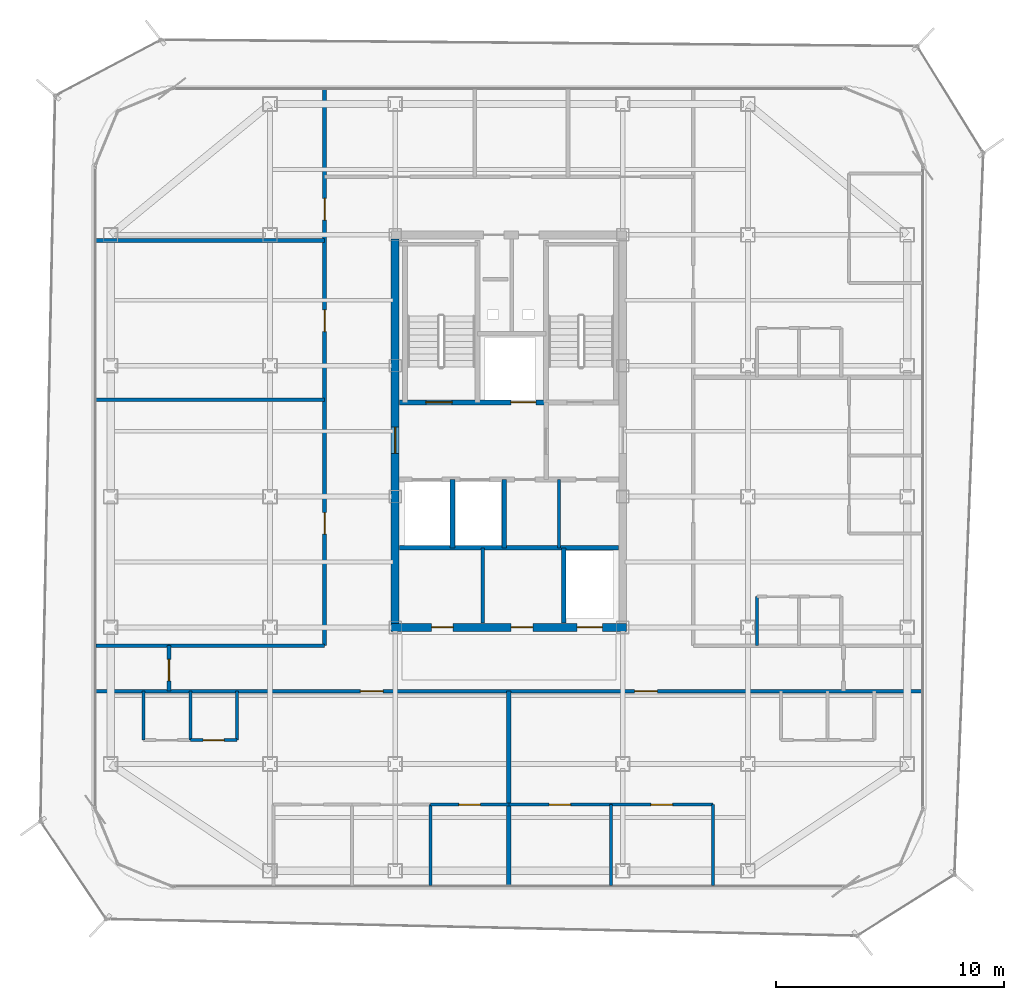
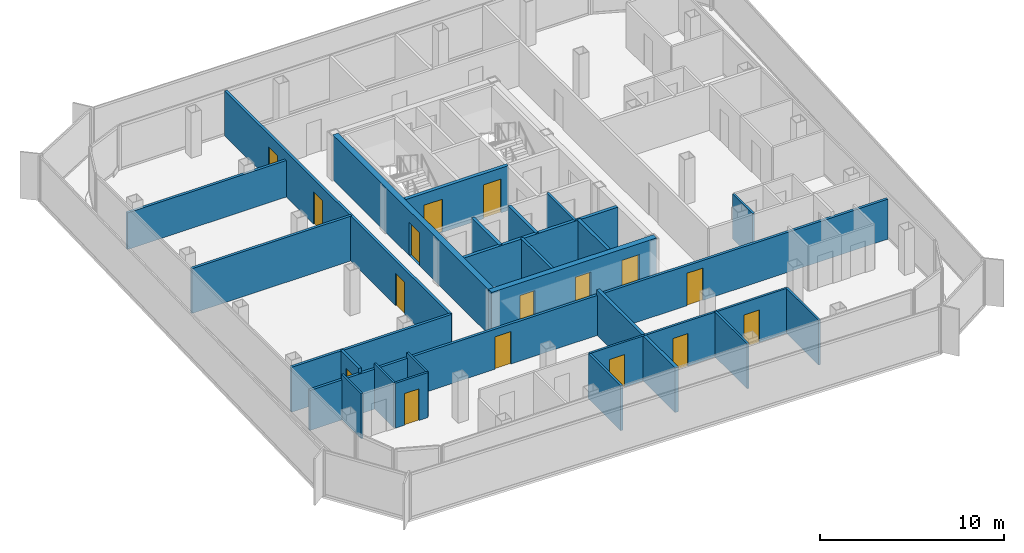
# One storey, part 10 of 15: 28 walls, 16 doors, 16 openings.
"""IFC4 building model written with IfcOpenShell, lengths in metres."""

from ifc_helpers import new_model, si_unit, direction, frame, frame_2d, origin, place, context, subcontext, project, spatial, rectangle, extrude, material, layer, layer_set, type_object, element, fill, save


model = new_model("IFC4")

# Units and contexts
model_context = context("Model", 3, precision=1e-05, world=origin(), true_north=direction((0.0, 1.0)))
body_context = subcontext(model_context, "Body", "Model", "MODEL_VIEW")
ifc_project = project(units=[si_unit("LENGTHUNIT", "METRE"), si_unit("AREAUNIT", "SQUARE_METRE"), si_unit("VOLUMEUNIT", "CUBIC_METRE"), si_unit("PLANEANGLEUNIT", "RADIAN"), si_unit("MASSUNIT", "GRAM", prefix="KILO")], contexts=[model_context])

# Site, building, storey
site_placement = place(None, origin())
site = spatial("IfcSite", under=ifc_project, at=site_placement, CompositionType="ELEMENT")
building_placement = place(site_placement, origin())
building = spatial("IfcBuilding", under=site, at=building_placement, Name="Kolveth Station Tower", CompositionType="ELEMENT")
storey_placement = place(building_placement, frame((0.0, 0.0, 239.300048828125)))
storey = spatial("IfcBuildingStorey", under=building, at=storey_placement, Name="L68", CompositionType="ELEMENT", Elevation=239.300048828125)

# Wall, openings, doors
ifc_material_1 = material(Name="Concrete C50/60", Category="concrete")
ifc_layer_1 = layer(ifc_material_1, 0.35009765625)
ifc_layer_set_1 = layer_set([ifc_layer_1], Name="Concrete C50/60")
wall_type_1 = type_object("IfcWallType", Name="Wall_CW-350", PredefinedType="SHEAR", material=ifc_layer_set_1)
wall_1_placement = place(storey_placement, frame((18.324951171875, 11.5, 0.0), z_axis=(0.0, 0.0, 1.0), x_axis=(1.0, 0.0, 0.0)))
wall_1 = element("IfcWall", 1, at=wall_1_placement, inside=storey, type_object=wall_type_1, Name="L68 Core RC Shear Wall S", PredefinedType="SHEAR", context=body_context, shape_type="SweptSolid", body=[
    extrude(rectangle(XDim=10.35009765625, YDim=0.35009765625, at=frame_2d((5.175048828125, 0.0))), origin(), (0.0, 0.0, 1.0), 2.97998046875),
])
opening_1_placement = place(wall_1_placement, frame((1.77490234375, 0.0, 0.0)))
opening_1 = element("IfcOpeningElement", 2, at=opening_1_placement, cuts=wall_1, Name="Opening ID1", PredefinedType="OPENING", context=body_context, shape_type="SweptSolid", body=[
    extrude(rectangle(XDim=0.949951171875, YDim=2.14990234375, at=frame_2d((0.47509765625, 1.074951171875))), frame((0.0, 0.18505859375, 0.0), z_axis=(0.0, -1.0, 0.0), x_axis=(1.0, 0.0, 0.0)), (0.0, 0.0, 1.0), 0.3701171875),
])
opening_2_placement = place(wall_1_placement, frame((5.27490234375, 0.0, 0.0)))
opening_2 = element("IfcOpeningElement", 3, at=opening_2_placement, cuts=wall_1, Name="Opening ID1", PredefinedType="OPENING", context=body_context, shape_type="SweptSolid", body=[
    extrude(rectangle(XDim=0.949951171875, YDim=2.14990234375, at=frame_2d((0.47509765625, 1.074951171875))), frame((0.0, 0.18505859375, 0.0), z_axis=(0.0, -1.0, 0.0), x_axis=(1.0, 0.0, 0.0)), (0.0, 0.0, 1.0), 0.3701171875),
])
opening_3_placement = place(wall_1_placement, frame((8.175048828125, 0.0, 0.0)))
opening_3 = element("IfcOpeningElement", 4, at=opening_3_placement, cuts=wall_1, Name="Opening LD1", PredefinedType="OPENING", context=body_context, shape_type="SweptSolid", body=[
    extrude(rectangle(XDim=1.10009765625, YDim=2.25, at=frame_2d((0.550048828125, 1.125))), frame((0.0, 0.18505859375, 0.0), z_axis=(0.0, -1.0, 0.0), x_axis=(1.0, 0.0, 0.0)), (0.0, 0.0, 1.0), 0.3701171875),
])
ifc_material_2 = material(Name="Acoustic hardwood leaf and aluminium frame", Category="wood")
door_type_1 = type_object("IfcDoorType", Name="Door_ID1", OperationType="NOTDEFINED", PredefinedType="DOOR", material=ifc_material_2)
door_1_placement = place(opening_1_placement, frame((0.949951171875, 0.0, 0.0), z_axis=(0.0, 0.0, 1.0), x_axis=(-1.0, 0.0, 0.0)))
door_1 = element("IfcDoor", 5, at=door_1_placement, inside=storey, type_object=door_type_1, Name="L68 Laundry Room Door", OperationType="SINGLE_SWING_RIGHT", OverallHeight=2.14990234375, OverallWidth=0.949951171875, PredefinedType="DOOR", context=body_context, shape_type="SweptSolid", body=[
    extrude(rectangle(XDim=0.949951171875, YDim=2.14990234375, at=frame_2d((0.47509765625, 1.074951171875))), frame((0.0, 0.02490234375, 0.0), z_axis=(0.0, -1.0, 0.0), x_axis=(1.0, 0.0, 0.0)), (0.0, 0.0, 1.0), 0.050048828125),
])
fill(opening_1, door_1)
door_2_placement = place(opening_2_placement, frame((0.949951171875, 0.0, 0.0), z_axis=(0.0, 0.0, 1.0), x_axis=(-1.0, 0.0, 0.0)))
door_2 = element("IfcDoor", 6, at=door_2_placement, inside=storey, type_object=door_type_1, Name="L68 Parcel Room Door", OperationType="SINGLE_SWING_LEFT", OverallHeight=2.14990234375, OverallWidth=0.949951171875, PredefinedType="DOOR", context=body_context, shape_type="SweptSolid", body=[
    extrude(rectangle(XDim=0.949951171875, YDim=2.14990234375, at=frame_2d((0.47509765625, 1.074951171875))), frame((0.0, 0.02490234375, 0.0), z_axis=(0.0, -1.0, 0.0), x_axis=(1.0, 0.0, 0.0)), (0.0, 0.0, 1.0), 0.050048828125),
])
fill(opening_2, door_2)
ifc_material_3 = material(Name="Brushed stainless steel sliding landing doors", Category="steel")
door_type_2 = type_object("IfcDoorType", Name="Door_LD1", OperationType="NOTDEFINED", PredefinedType="DOOR", material=ifc_material_3)
door_3_placement = place(opening_3_placement, frame((1.10009765625, 0.0, 0.0), z_axis=(0.0, 0.0, 1.0), x_axis=(-1.0, 0.0, 0.0)))
door_3 = element("IfcDoor", 7, at=door_3_placement, inside=storey, type_object=door_type_2, Name="L68 Lift PH1 Landing Door", OperationType="DOUBLE_DOOR_SLIDING", OverallHeight=2.25, OverallWidth=1.10009765625, PredefinedType="DOOR", context=body_context, shape_type="SweptSolid", body=[
    extrude(rectangle(XDim=1.10009765625, YDim=2.25, at=frame_2d((0.550048828125, 1.125))), frame((0.0, 0.02490234375, 0.0), z_axis=(0.0, -1.0, 0.0), x_axis=(1.0, 0.0, 0.0)), (0.0, 0.0, 1.0), 0.050048828125),
])
fill(opening_3, door_3)

# Wall, opening, door
wall_2_placement = place(storey_placement, frame((18.5, 11.675048828125, 0.0), z_axis=(0.0, 0.0, 1.0), x_axis=(0.0, 1.0, 0.0)))
wall_2 = element("IfcWall", 8, at=wall_2_placement, inside=storey, type_object=wall_type_1, Name="L68 Core RC Shear Wall W", PredefinedType="SHEAR", context=body_context, shape_type="SweptSolid", body=[
    extrude(rectangle(XDim=16.89990234375, YDim=0.35009765625, at=frame_2d((8.449951171875, 0.0))), origin(), (0.0, 0.0, 1.0), 2.97998046875),
])
opening_4_placement = place(wall_2_placement, frame((7.47509765625, 0.0, 0.0)))
opening_4 = element("IfcOpeningElement", 9, at=opening_4_placement, cuts=wall_2, Name="Opening FD1", PredefinedType="OPENING", context=body_context, shape_type="SweptSolid", body=[
    extrude(rectangle(XDim=1.14990234375, YDim=2.199951171875, at=frame_2d((0.574951171875, 1.10009765625))), frame((0.0, 0.18505859375, 0.0), z_axis=(0.0, -1.0, 0.0), x_axis=(1.0, 0.0, 0.0)), (0.0, 0.0, 1.0), 0.3701171875),
])
ifc_material_4 = material(Name="Fire-rated Steel S355 leaf and frame", Category="steel")
door_type_3 = type_object("IfcDoorType", Name="Door_FD1", OperationType="NOTDEFINED", PredefinedType="DOOR", material=ifc_material_4)
door_4_placement = place(opening_4_placement, frame((1.14990234375, 0.0, 0.0), z_axis=(0.0, 0.0, 1.0), x_axis=(-1.0, 0.0, 0.0)))
door_4 = element("IfcDoor", 10, at=door_4_placement, inside=storey, type_object=door_type_3, Name="L68 West Corridor to Firefighting Lobby Door", OperationType="SINGLE_SWING_LEFT", OverallHeight=2.199951171875, OverallWidth=1.14990234375, PredefinedType="DOOR", context=body_context, shape_type="SweptSolid", body=[
    extrude(rectangle(XDim=1.14990234375, YDim=2.199951171875, at=frame_2d((0.574951171875, 1.10009765625))), frame((0.0, 0.02490234375, 0.0), z_axis=(0.0, -1.0, 0.0), x_axis=(1.0, 0.0, 0.0)), (0.0, 0.0, 1.0), 0.050048828125),
])
fill(opening_4, door_4)

# Wall
ifc_material_5 = material(Name="Moisture-resistant gypsum partition")
ifc_layer_2 = layer(ifc_material_5, 0.135009765625)
ifc_layer_set_2 = layer_set([ifc_layer_2], Name="Moisture-resistant gypsum partition")
wall_type_2 = type_object("IfcWallType", Name="Wall_IW-135", PredefinedType="PARTITIONING", material=ifc_layer_set_2)
wall_3_placement = place(storey_placement, frame((25.699951171875, 15.0, 0.0), z_axis=(0.0, 0.0, 1.0), x_axis=(0.0, 1.0, 0.0)))
element("IfcWall", 11, at=wall_3_placement, inside=storey, type_object=wall_type_2, Name="L68 Partition Wall WL-L68-CB-V1", PredefinedType="PARTITIONING", context=body_context, shape_type="SweptSolid", body=[
    extrude(rectangle(XDim=3.0, YDim=0.135009765625, at=frame_2d((1.5, 0.0))), origin(), (0.0, 0.0, 1.0), 2.97998046875),
])

# Wall, opening, door
wall_4_placement = place(storey_placement, frame((9.5, 6.550048828125, 0.0), z_axis=(0.0, 0.0, 1.0), x_axis=(1.0, 0.0, 0.0)))
wall_4 = element("IfcWall", 12, at=wall_4_placement, inside=storey, type_object=wall_type_2, Name="L68 Partition Wall WL-L68-A1-IBHB", PredefinedType="PARTITIONING", context=body_context, shape_type="SweptSolid", body=[
    extrude(rectangle(XDim=2.050048828125, YDim=0.135009765625, at=frame_2d((1.02490234375, 0.0))), origin(), (0.0, 0.0, 1.0), 2.97998046875),
])
opening_5_placement = place(wall_4_placement, frame((0.56494140625, 0.0, 0.0)))
opening_5 = element("IfcOpeningElement", 13, at=opening_5_placement, cuts=wall_4, Name="Opening ID2", PredefinedType="OPENING", context=body_context, shape_type="SweptSolid", body=[
    extrude(rectangle(XDim=0.919921875, YDim=2.10009765625, at=frame_2d((0.4599609375, 1.050048828125))), frame((0.0, 0.077392578125, 0.0), z_axis=(0.0, -1.0, 0.0), x_axis=(1.0, 0.0, 0.0)), (0.0, 0.0, 1.0), 0.155029296875),
])
ifc_material_6 = material(Name="Moisture-resistant hardwood leaf", Category="wood")
door_type_4 = type_object("IfcDoorType", Name="Door_ID2", OperationType="NOTDEFINED", PredefinedType="DOOR", material=ifc_material_6)
door_5_placement = place(opening_5_placement, origin())
door_5 = element("IfcDoor", 14, at=door_5_placement, inside=storey, type_object=door_type_4, Name="Penthouse Flat L68-A1 Bathroom Door", OperationType="SINGLE_SWING_LEFT", OverallHeight=2.10009765625, OverallWidth=0.919921875, PredefinedType="DOOR", context=body_context, shape_type="SweptSolid", body=[
    extrude(rectangle(XDim=0.919921875, YDim=2.10009765625, at=frame_2d((0.4599609375, 1.050048828125))), frame((0.0, 0.02490234375, 0.0), z_axis=(0.0, -1.0, 0.0), x_axis=(1.0, 0.0, 0.0)), (0.0, 0.0, 1.0), 0.050048828125),
])
fill(opening_5, door_5)

# Walls
for number, where, z_axis, x_axis, name in (
    (15, (7.449951171875, 6.550048828125, 0.0), (0.0, 0.0, 1.0), (0.0, 1.0, 0.0), "L68 Partition Wall WL-L68-A1-IBV0"),
    (16, (9.5, 6.550048828125, 0.0), (0.0, 0.0, 1.0), (0.0, 1.0, 0.0), "L68 Partition Wall WL-L68-A1-IBV1"),
    (17, (11.550048828125, 6.550048828125, 0.0), (0.0, 0.0, 1.0), (0.0, 1.0, 0.0), "L68 Partition Wall WL-L68-A1-IBV2"),
):
    element("IfcWall", number, at=place(storey_placement, frame(where, z_axis=z_axis, x_axis=x_axis)), inside=storey, type_object=wall_type_2, Name=name, PredefinedType="PARTITIONING", context=body_context, shape_type="SweptSolid", body=[
        extrude(rectangle(XDim=2.14990234375, YDim=0.135009765625, at=frame_2d((1.074951171875, 0.0))), origin(), (0.0, 0.0, 1.0), 2.97998046875),
    ])

# Wall, opening, door
wall_5_placement = place(storey_placement, frame((20.050048828125, 3.7099609375, 0.0), z_axis=(0.0, 0.0, 1.0), x_axis=(1.0, 0.0, 0.0)))
wall_5 = element("IfcWall", 18, at=wall_5_placement, inside=storey, type_object=wall_type_2, Name="L68 Partition Wall WL-L68-A1-BDH3", PredefinedType="PARTITIONING", context=body_context, shape_type="SweptSolid", body=[
    extrude(rectangle(XDim=3.449951171875, YDim=0.135009765625, at=frame_2d((1.72509765625, 0.0))), origin(), (0.0, 0.0, 1.0), 2.97998046875),
])
opening_6_placement = place(wall_5_placement, frame((1.2451171875, 0.0, 0.0)))
opening_6 = element("IfcOpeningElement", 19, at=opening_6_placement, cuts=wall_5, Name="Opening ID1", PredefinedType="OPENING", context=body_context, shape_type="SweptSolid", body=[
    extrude(rectangle(XDim=0.949951171875, YDim=2.14990234375, at=frame_2d((0.47509765625, 1.074951171875))), frame((0.0, 0.077392578125, 0.0), z_axis=(0.0, -1.0, 0.0), x_axis=(1.0, 0.0, 0.0)), (0.0, 0.0, 1.0), 0.155029296875),
])
door_6_placement = place(opening_6_placement, frame((0.949951171875, 0.0, 0.0), z_axis=(0.0, 0.0, 1.0), x_axis=(-1.0, 0.0, 0.0)))
door_6 = element("IfcDoor", 20, at=door_6_placement, inside=storey, type_object=door_type_1, Name="Penthouse Flat L68-A1 Bedroom 3 Door", OperationType="SINGLE_SWING_LEFT", OverallHeight=2.14990234375, OverallWidth=0.949951171875, PredefinedType="DOOR", context=body_context, shape_type="SweptSolid", body=[
    extrude(rectangle(XDim=0.949951171875, YDim=2.14990234375, at=frame_2d((0.47509765625, 1.074951171875))), frame((0.0, 0.02490234375, 0.0), z_axis=(0.0, -1.0, 0.0), x_axis=(1.0, 0.0, 0.0)), (0.0, 0.0, 1.0), 0.050048828125),
])
fill(opening_6, door_6)

# Walls
for number, where, z_axis, x_axis, name in (
    (21, (20.050048828125, 0.159912109375, 0.0), (0.0, 0.0, 1.0), (0.0, 1.0, 0.0), "L68 Partition Wall WL-L68-A1-BDV2"),
    (22, (32.458984375, 0.159912109375, 0.0), (0.0, 0.0, 1.0), (0.0, 1.0, 0.0), "L68 Partition Wall WL-L68-A2-BDVE"),
):
    element("IfcWall", number, at=place(storey_placement, frame(where, z_axis=z_axis, x_axis=x_axis)), inside=storey, type_object=wall_type_2, Name=name, PredefinedType="PARTITIONING", context=body_context, shape_type="SweptSolid", body=[
        extrude(rectangle(XDim=3.550048828125, YDim=0.135009765625, at=frame_2d((1.77490234375, 0.0))), origin(), (0.0, 0.0, 1.0), 2.97998046875),
    ])

# Wall, opening, door
wall_6_placement = place(storey_placement, frame((23.5, 3.7099609375, 0.0), z_axis=(0.0, 0.0, 1.0), x_axis=(1.0, 0.0, 0.0)))
wall_6 = element("IfcWall", 23, at=wall_6_placement, inside=storey, type_object=wall_type_2, Name="L68 Partition Wall WL-L68-A2-BDH1", PredefinedType="PARTITIONING", context=body_context, shape_type="SweptSolid", body=[
    extrude(rectangle(XDim=4.4794921875, YDim=0.135009765625, at=frame_2d((2.23974609375, 0.0))), origin(), (0.0, 0.0, 1.0), 2.97998046875),
])
opening_7_placement = place(wall_6_placement, frame((1.760009765625, 0.0, 0.0)))
opening_7 = element("IfcOpeningElement", 24, at=opening_7_placement, cuts=wall_6, Name="Opening ID1", PredefinedType="OPENING", context=body_context, shape_type="SweptSolid", body=[
    extrude(rectangle(XDim=0.949951171875, YDim=2.14990234375, at=frame_2d((0.47509765625, 1.074951171875))), frame((0.0, 0.077392578125, 0.0), z_axis=(0.0, -1.0, 0.0), x_axis=(1.0, 0.0, 0.0)), (0.0, 0.0, 1.0), 0.155029296875),
])
door_7_placement = place(opening_7_placement, frame((0.949951171875, 0.0, 0.0), z_axis=(0.0, 0.0, 1.0), x_axis=(-1.0, 0.0, 0.0)))
door_7 = element("IfcDoor", 25, at=door_7_placement, inside=storey, type_object=door_type_1, Name="Penthouse Flat L68-A2 Bedroom 1 Door", OperationType="SINGLE_SWING_RIGHT", OverallHeight=2.14990234375, OverallWidth=0.949951171875, PredefinedType="DOOR", context=body_context, shape_type="SweptSolid", body=[
    extrude(rectangle(XDim=0.949951171875, YDim=2.14990234375, at=frame_2d((0.47509765625, 1.074951171875))), frame((0.0, 0.02490234375, 0.0), z_axis=(0.0, -1.0, 0.0), x_axis=(1.0, 0.0, 0.0)), (0.0, 0.0, 1.0), 0.050048828125),
])
fill(opening_7, door_7)

wall_7_placement = place(storey_placement, frame((27.9794921875, 3.7099609375, 0.0), z_axis=(0.0, 0.0, 1.0), x_axis=(1.0, 0.0, 0.0)))
wall_7 = element("IfcWall", 26, at=wall_7_placement, inside=storey, type_object=wall_type_2, Name="L68 Partition Wall WL-L68-A2-BDH2", PredefinedType="PARTITIONING", context=body_context, shape_type="SweptSolid", body=[
    extrude(rectangle(XDim=4.4794921875, YDim=0.135009765625, at=frame_2d((2.23974609375, 0.0))), origin(), (0.0, 0.0, 1.0), 2.97998046875),
])
opening_8_placement = place(wall_7_placement, frame((1.759033203125, 0.0, 0.0)))
opening_8 = element("IfcOpeningElement", 27, at=opening_8_placement, cuts=wall_7, Name="Opening ID1", PredefinedType="OPENING", context=body_context, shape_type="SweptSolid", body=[
    extrude(rectangle(XDim=0.949951171875, YDim=2.14990234375, at=frame_2d((0.47509765625, 1.074951171875))), frame((0.0, 0.077392578125, 0.0), z_axis=(0.0, -1.0, 0.0), x_axis=(1.0, 0.0, 0.0)), (0.0, 0.0, 1.0), 0.155029296875),
])
door_8_placement = place(opening_8_placement, frame((0.949951171875, 0.0, 0.0), z_axis=(0.0, 0.0, 1.0), x_axis=(-1.0, 0.0, 0.0)))
door_8 = element("IfcDoor", 28, at=door_8_placement, inside=storey, type_object=door_type_1, Name="Penthouse Flat L68-A2 Bedroom 2 Door", OperationType="SINGLE_SWING_LEFT", OverallHeight=2.14990234375, OverallWidth=0.949951171875, PredefinedType="DOOR", context=body_context, shape_type="SweptSolid", body=[
    extrude(rectangle(XDim=0.949951171875, YDim=2.14990234375, at=frame_2d((0.47509765625, 1.074951171875))), frame((0.0, 0.02490234375, 0.0), z_axis=(0.0, -1.0, 0.0), x_axis=(1.0, 0.0, 0.0)), (0.0, 0.0, 1.0), 0.050048828125),
])
fill(opening_8, door_8)

# Walls
wall_8_placement = place(storey_placement, frame((27.9794921875, 0.159912109375, 0.0), z_axis=(0.0, 0.0, 1.0), x_axis=(0.0, 1.0, 0.0)))
element("IfcWall", 29, at=wall_8_placement, inside=storey, type_object=wall_type_2, Name="L68 Partition Wall WL-L68-A2-BDV1", PredefinedType="PARTITIONING", context=body_context, shape_type="SweptSolid", body=[
    extrude(rectangle(XDim=3.550048828125, YDim=0.135009765625, at=frame_2d((1.77490234375, 0.0))), origin(), (0.0, 0.0, 1.0), 2.97998046875),
])
wall_9_placement = place(storey_placement, frame((34.39990234375, 10.699951171875, 0.0), z_axis=(0.0, 0.0, 1.0), x_axis=(0.0, 1.0, 0.0)))
element("IfcWall", 30, at=wall_9_placement, inside=storey, type_object=wall_type_2, Name="L68 Partition Wall WL-L68-E1-IBV0", PredefinedType="PARTITIONING", context=body_context, shape_type="SweptSolid", body=[
    extrude(rectangle(XDim=2.150146484375, YDim=0.135009765625, at=frame_2d((1.0751953125, 0.0))), origin(), (0.0, 0.0, 1.0), 2.97998046875),
])
ifc_material_7 = material(Name="Acoustic double-stud gypsum partition")
ifc_layer_3 = layer(ifc_material_7, 0.1650390625)
ifc_layer_set_3 = layer_set([ifc_layer_3], Name="Acoustic double-stud gypsum partition")
wall_type_3 = type_object("IfcWallType", Name="Wall_IW-165", PredefinedType="PARTITIONING", material=ifc_layer_set_3)
wall_10_placement = place(storey_placement, frame((22.35009765625, 11.68505859375, 0.0), z_axis=(0.0, 0.0, 1.0), x_axis=(0.0, 1.0, 0.0)))
element("IfcWall", 31, at=wall_10_placement, inside=storey, type_object=wall_type_3, Name="L68 Partition Wall WL-L68-FR-M", PredefinedType="PARTITIONING", context=body_context, shape_type="SweptSolid", body=[
    extrude(rectangle(XDim=3.31494140625, YDim=0.1650390625, at=frame_2d((1.657470703125, 0.0))), origin(), (0.0, 0.0, 1.0), 2.97998046875),
])

# Wall, openings, doors
wall_11_placement = place(storey_placement, frame((5.360107421875, 8.699951171875, 0.0), z_axis=(0.0, 0.0, 1.0), x_axis=(1.0, 0.0, 0.0)))
wall_11 = element("IfcWall", 32, at=wall_11_placement, inside=storey, type_object=wall_type_3, Name="L68 Partition Wall WL-L68-RS", PredefinedType="PARTITIONING", context=body_context, shape_type="SweptSolid", body=[
    extrude(rectangle(XDim=36.27978515625, YDim=0.1650390625, at=frame_2d((18.139892578125, 0.0))), origin(), (0.0, 0.0, 1.0), 2.655029296875),
])
opening_9_placement = place(wall_11_placement, frame((11.614990234375, 0.0, 0.0)))
opening_9 = element("IfcOpeningElement", 33, at=opening_9_placement, cuts=wall_11, Name="Opening FD3", PredefinedType="OPENING", context=body_context, shape_type="SweptSolid", body=[
    extrude(rectangle(XDim=1.0, YDim=2.14990234375, at=frame_2d((0.5, 1.074951171875))), frame((0.0, 0.092529296875, 0.0), z_axis=(0.0, -1.0, 0.0), x_axis=(1.0, 0.0, 0.0)), (0.0, 0.0, 1.0), 0.18505859375),
])
opening_10_placement = place(wall_11_placement, frame((23.6650390625, 0.0, 0.0)))
opening_10 = element("IfcOpeningElement", 34, at=opening_10_placement, cuts=wall_11, Name="Opening FD3", PredefinedType="OPENING", context=body_context, shape_type="SweptSolid", body=[
    extrude(rectangle(XDim=1.0, YDim=2.14990234375, at=frame_2d((0.5, 1.074951171875))), frame((0.0, 0.092529296875, 0.0), z_axis=(0.0, -1.0, 0.0), x_axis=(1.0, 0.0, 0.0)), (0.0, 0.0, 1.0), 0.18505859375),
])
ifc_material_8 = material(Name="Fire-rated hardwood leaf and aluminium frame", Category="wood")
door_type_5 = type_object("IfcDoorType", Name="Door_FD3", OperationType="NOTDEFINED", PredefinedType="DOOR", material=ifc_material_8)
door_9_placement = place(opening_9_placement, frame((1.0, 0.0, 0.0), z_axis=(0.0, 0.0, 1.0), x_axis=(-1.0, 0.0, 0.0)))
door_9 = element("IfcDoor", 35, at=door_9_placement, inside=storey, type_object=door_type_5, Name="Penthouse Flat L68-A1 Entrance Door", OperationType="SINGLE_SWING_LEFT", OverallHeight=2.14990234375, OverallWidth=1.0, PredefinedType="DOOR", context=body_context, shape_type="SweptSolid", body=[
    extrude(rectangle(XDim=1.0, YDim=2.14990234375, at=frame_2d((0.5, 1.074951171875))), frame((0.0, 0.02490234375, 0.0), z_axis=(0.0, -1.0, 0.0), x_axis=(1.0, 0.0, 0.0)), (0.0, 0.0, 1.0), 0.050048828125),
])
fill(opening_9, door_9)
door_10_placement = place(opening_10_placement, frame((1.0, 0.0, 0.0), z_axis=(0.0, 0.0, 1.0), x_axis=(-1.0, 0.0, 0.0)))
door_10 = element("IfcDoor", 36, at=door_10_placement, inside=storey, type_object=door_type_5, Name="Penthouse Flat L68-A2 Entrance Door", OperationType="SINGLE_SWING_RIGHT", OverallHeight=2.14990234375, OverallWidth=1.0, PredefinedType="DOOR", context=body_context, shape_type="SweptSolid", body=[
    extrude(rectangle(XDim=1.0, YDim=2.14990234375, at=frame_2d((0.5, 1.074951171875))), frame((0.0, 0.02490234375, 0.0), z_axis=(0.0, -1.0, 0.0), x_axis=(1.0, 0.0, 0.0)), (0.0, 0.0, 1.0), 0.050048828125),
])
fill(opening_10, door_10)

# Wall
wall_12_placement = place(storey_placement, frame((8.56005859375, 10.699951171875, 0.0), z_axis=(0.0, 0.0, 1.0), x_axis=(1.0, 0.0, 0.0)))
element("IfcWall", 37, at=wall_12_placement, inside=storey, type_object=wall_type_3, Name="L68 Partition Wall WL-L68-RSWT", PredefinedType="PARTITIONING", context=body_context, shape_type="SweptSolid", body=[
    extrude(rectangle(XDim=6.83984375, YDim=0.1650390625, at=frame_2d((3.419921875, 0.0))), origin(), (0.0, 0.0, 1.0), 2.97998046875),
])

# Wall, opening, door
wall_13_placement = place(storey_placement, frame((8.56005859375, 8.699951171875, 0.0), z_axis=(0.0, 0.0, 1.0), x_axis=(0.0, 1.0, 0.0)))
wall_13 = element("IfcWall", 38, at=wall_13_placement, inside=storey, type_object=wall_type_3, Name="L68 Partition Wall WL-L68-RSWE", PredefinedType="PARTITIONING", context=body_context, shape_type="SweptSolid", body=[
    extrude(rectangle(XDim=2.0, YDim=0.1650390625, at=frame_2d((1.0, 0.0))), origin(), (0.0, 0.0, 1.0), 2.97998046875),
])
opening_11_placement = place(wall_13_placement, frame((0.449951171875, 0.0, 0.0)))
opening_11 = element("IfcOpeningElement", 39, at=opening_11_placement, cuts=wall_13, Name="Opening ID1", PredefinedType="OPENING", context=body_context, shape_type="SweptSolid", body=[
    extrude(rectangle(XDim=0.949951171875, YDim=2.14990234375, at=frame_2d((0.47509765625, 1.074951171875))), frame((0.0, 0.092529296875, 0.0), z_axis=(0.0, -1.0, 0.0), x_axis=(1.0, 0.0, 0.0)), (0.0, 0.0, 1.0), 0.18505859375),
])
door_11_placement = place(opening_11_placement, frame((0.949951171875, 0.0, 0.0), z_axis=(0.0, 0.0, 1.0), x_axis=(-1.0, 0.0, 0.0)))
door_11 = element("IfcDoor", 40, at=door_11_placement, inside=storey, type_object=door_type_1, Name="L68 West Store Door", OperationType="SINGLE_SWING_LEFT", OverallHeight=2.14990234375, OverallWidth=0.949951171875, PredefinedType="DOOR", context=body_context, shape_type="SweptSolid", body=[
    extrude(rectangle(XDim=0.949951171875, YDim=2.14990234375, at=frame_2d((0.47509765625, 1.074951171875))), frame((0.0, 0.02490234375, 0.0), z_axis=(0.0, -1.0, 0.0), x_axis=(1.0, 0.0, 0.0)), (0.0, 0.0, 1.0), 0.050048828125),
])
fill(opening_11, door_11)

# Wall, openings, doors
wall_14_placement = place(storey_placement, frame((15.39990234375, 10.699951171875, 0.0), z_axis=(0.0, 0.0, 1.0), x_axis=(0.0, 1.0, 0.0)))
wall_14 = element("IfcWall", 41, at=wall_14_placement, inside=storey, type_object=wall_type_3, Name="L68 Partition Wall WL-L68-RW", PredefinedType="PARTITIONING", context=body_context, shape_type="SweptSolid", body=[
    extrude(rectangle(XDim=24.43994140625, YDim=0.1650390625, at=frame_2d((12.219970703125, 0.0))), origin(), (0.0, 0.0, 1.0), 2.97998046875),
])
opening_12_placement = place(wall_14_placement, frame((4.89990234375, 0.0, 0.0)))
opening_12 = element("IfcOpeningElement", 42, at=opening_12_placement, cuts=wall_14, Name="Opening ID1", PredefinedType="OPENING", context=body_context, shape_type="SweptSolid", body=[
    extrude(rectangle(XDim=0.949951171875, YDim=2.14990234375, at=frame_2d((0.47509765625, 1.074951171875))), frame((0.0, 0.092529296875, 0.0), z_axis=(0.0, -1.0, 0.0), x_axis=(1.0, 0.0, 0.0)), (0.0, 0.0, 1.0), 0.18505859375),
])
opening_13_placement = place(wall_14_placement, frame((13.800048828125, 0.0, 0.0)))
opening_13 = element("IfcOpeningElement", 43, at=opening_13_placement, cuts=wall_14, Name="Opening ID1", PredefinedType="OPENING", context=body_context, shape_type="SweptSolid", body=[
    extrude(rectangle(XDim=0.949951171875, YDim=2.14990234375, at=frame_2d((0.47509765625, 1.074951171875))), frame((0.0, 0.092529296875, 0.0), z_axis=(0.0, -1.0, 0.0), x_axis=(1.0, 0.0, 0.0)), (0.0, 0.0, 1.0), 0.18505859375),
])
opening_14_placement = place(wall_14_placement, frame((18.699951171875, 0.0, 0.0)))
opening_14 = element("IfcOpeningElement", 44, at=opening_14_placement, cuts=wall_14, Name="Opening ID1", PredefinedType="OPENING", context=body_context, shape_type="SweptSolid", body=[
    extrude(rectangle(XDim=0.949951171875, YDim=2.14990234375, at=frame_2d((0.47509765625, 1.074951171875))), frame((0.0, 0.092529296875, 0.0), z_axis=(0.0, -1.0, 0.0), x_axis=(1.0, 0.0, 0.0)), (0.0, 0.0, 1.0), 0.18505859375),
])
door_12_placement = place(opening_12_placement, frame((0.949951171875, 0.0, 0.0), z_axis=(0.0, 0.0, 1.0), x_axis=(-1.0, 0.0, 0.0)))
door_12 = element("IfcDoor", 45, at=door_12_placement, inside=storey, type_object=door_type_1, Name="L68 Residents' Club Lounge Door", OperationType="SINGLE_SWING_LEFT", OverallHeight=2.14990234375, OverallWidth=0.949951171875, PredefinedType="DOOR", context=body_context, shape_type="SweptSolid", body=[
    extrude(rectangle(XDim=0.949951171875, YDim=2.14990234375, at=frame_2d((0.47509765625, 1.074951171875))), frame((0.0, 0.02490234375, 0.0), z_axis=(0.0, -1.0, 0.0), x_axis=(1.0, 0.0, 0.0)), (0.0, 0.0, 1.0), 0.050048828125),
])
fill(opening_12, door_12)
door_13_placement = place(opening_13_placement, frame((0.949951171875, 0.0, 0.0), z_axis=(0.0, 0.0, 1.0), x_axis=(-1.0, 0.0, 0.0)))
door_13 = element("IfcDoor", 46, at=door_13_placement, inside=storey, type_object=door_type_1, Name="L68 Residents' Screening Room Door", OperationType="SINGLE_SWING_LEFT", OverallHeight=2.14990234375, OverallWidth=0.949951171875, PredefinedType="DOOR", context=body_context, shape_type="SweptSolid", body=[
    extrude(rectangle(XDim=0.949951171875, YDim=2.14990234375, at=frame_2d((0.47509765625, 1.074951171875))), frame((0.0, 0.02490234375, 0.0), z_axis=(0.0, -1.0, 0.0), x_axis=(1.0, 0.0, 0.0)), (0.0, 0.0, 1.0), 0.050048828125),
])
fill(opening_13, door_13)
door_14_placement = place(opening_14_placement, frame((0.949951171875, 0.0, 0.0), z_axis=(0.0, 0.0, 1.0), x_axis=(-1.0, 0.0, 0.0)))
door_14 = element("IfcDoor", 47, at=door_14_placement, inside=storey, type_object=door_type_1, Name="L68 Club Servery Pantry Door", OperationType="SINGLE_SWING_LEFT", OverallHeight=2.14990234375, OverallWidth=0.949951171875, PredefinedType="DOOR", context=body_context, shape_type="SweptSolid", body=[
    extrude(rectangle(XDim=0.949951171875, YDim=2.14990234375, at=frame_2d((0.47509765625, 1.074951171875))), frame((0.0, 0.02490234375, 0.0), z_axis=(0.0, -1.0, 0.0), x_axis=(1.0, 0.0, 0.0)), (0.0, 0.0, 1.0), 0.050048828125),
])
fill(opening_14, door_14)

# Walls
wall_15_placement = place(storey_placement, frame((5.360107421875, 10.699951171875, 0.0), z_axis=(0.0, 0.0, 1.0), x_axis=(1.0, 0.0, 0.0)))
element("IfcWall", 48, at=wall_15_placement, inside=storey, type_object=wall_type_3, Name="L68 Partition Wall WL-L68-WSTN", PredefinedType="PARTITIONING", context=body_context, shape_type="SweptSolid", body=[
    extrude(rectangle(XDim=3.199951171875, YDim=0.1650390625, at=frame_2d((1.60009765625, 0.0))), origin(), (0.0, 0.0, 1.0), 2.97998046875),
])
wall_16_placement = place(storey_placement, frame((5.360107421875, 21.5, 0.0), z_axis=(0.0, 0.0, 1.0), x_axis=(1.0, 0.0, 0.0)))
element("IfcWall", 49, at=wall_16_placement, inside=storey, type_object=wall_type_3, Name="L68 Partition Wall WL-L68-RWA-P1", PredefinedType="PARTITIONING", context=body_context, shape_type="SweptSolid", body=[
    extrude(rectangle(XDim=10.039794921875, YDim=0.1650390625, at=frame_2d((5.02001953125, 0.0))), origin(), (0.0, 0.0, 1.0), 2.97998046875),
])
wall_17_placement = place(storey_placement, frame((5.360107421875, 28.5, 0.0), z_axis=(0.0, 0.0, 1.0), x_axis=(1.0, 0.0, 0.0)))
element("IfcWall", 50, at=wall_17_placement, inside=storey, type_object=wall_type_3, Name="L68 Partition Wall WL-L68-RWA-P2", PredefinedType="PARTITIONING", context=body_context, shape_type="SweptSolid", body=[
    extrude(rectangle(XDim=10.039794921875, YDim=0.1650390625, at=frame_2d((5.02001953125, 0.0))), origin(), (0.0, 0.0, 1.0), 2.427978515625),
])
ifc_material_9 = material(Name="Acoustic fire-rated gypsum blockwork", Category="masonry")
ifc_layer_4 = layer(ifc_material_9, 0.199951171875)
ifc_layer_set_4 = layer_set([ifc_layer_4], Name="Acoustic fire-rated gypsum blockwork")
wall_type_4 = type_object("IfcWallType", Name="Wall_IW-200", PredefinedType="PARTITIONING", material=ifc_layer_set_4)
for number, where, z_axis, x_axis, name in (
    (51, (21.02001953125, 15.0, 0.0), (0.0, 0.0, 1.0), (0.0, 1.0, 0.0), "L68 Partition Wall WL-L68-FF12"),
    (52, (23.300048828125, 15.0, 0.0), (0.0, 0.0, 1.0), (0.0, 1.0, 0.0), "L68 Partition Wall WL-L68-FF2E"),
):
    element("IfcWall", number, at=place(storey_placement, frame(where, z_axis=z_axis, x_axis=x_axis)), inside=storey, type_object=wall_type_4, Name=name, PredefinedType="PARTITIONING", context=body_context, shape_type="SweptSolid", body=[
        extrude(rectangle(XDim=3.0, YDim=0.199951171875, at=frame_2d((1.5, 0.0))), origin(), (0.0, 0.0, 1.0), 2.97998046875),
    ])
wall_18_placement = place(storey_placement, frame((18.68505859375, 15.0, 0.0), z_axis=(0.0, 0.0, 1.0), x_axis=(1.0, 0.0, 0.0)))
element("IfcWall", 53, at=wall_18_placement, inside=storey, type_object=wall_type_4, Name="L68 Partition Wall WL-L68-BOH-S", PredefinedType="PARTITIONING", context=body_context, shape_type="SweptSolid", body=[
    extrude(rectangle(XDim=9.6298828125, YDim=0.199951171875, at=frame_2d((4.81494140625, 0.0))), origin(), (0.0, 0.0, 1.0), 2.97998046875),
])
wall_19_placement = place(storey_placement, frame((25.89990234375, 11.68505859375, 0.0), z_axis=(0.0, 0.0, 1.0), x_axis=(0.0, 1.0, 0.0)))
element("IfcWall", 54, at=wall_19_placement, inside=storey, type_object=wall_type_4, Name="L68 Partition Wall WL-L68-PMPH", PredefinedType="PARTITIONING", context=body_context, shape_type="SweptSolid", body=[
    extrude(rectangle(XDim=3.31494140625, YDim=0.199951171875, at=frame_2d((1.657470703125, 0.0))), origin(), (0.0, 0.0, 1.0), 2.97998046875),
])
wall_20_placement = place(storey_placement, frame((23.5, 0.159912109375, 0.0), z_axis=(0.0, 0.0, 1.0), x_axis=(0.0, 1.0, 0.0)))
element("IfcWall", 55, at=wall_20_placement, inside=storey, type_object=wall_type_4, Name="L68 Partition Wall WL-L68-RSU-1", PredefinedType="PARTITIONING", context=body_context, shape_type="SweptSolid", body=[
    extrude(rectangle(XDim=8.5400390625, YDim=0.199951171875, at=frame_2d((4.27001953125, 0.0))), origin(), (0.0, 0.0, 1.0), 2.97998046875),
])

# Wall, openings, doors
ifc_material_10 = material(Name="Concrete C40/50", Category="concrete")
ifc_layer_5 = layer(ifc_material_10, 0.219970703125)
ifc_layer_set_5 = layer_set([ifc_layer_5], Name="Concrete C40/50")
wall_type_5 = type_object("IfcWallType", Name="Wall_IW-220", PredefinedType="SOLIDWALL", material=ifc_layer_set_5)
wall_21_placement = place(storey_placement, frame((18.68505859375, 21.389892578125, 0.0), z_axis=(0.0, 0.0, 1.0), x_axis=(1.0, 0.0, 0.0)))
wall_21 = element("IfcWall", 56, at=wall_21_placement, inside=storey, type_object=wall_type_5, Name="L68 Stair Shaft Wall WL-L68-ST1-S", PredefinedType="SOLIDWALL", context=body_context, shape_type="SweptSolid", body=[
    extrude(rectangle(XDim=6.44482421875, YDim=0.219970703125, at=frame_2d((3.222412109375, 0.0))), origin(), (0.0, 0.0, 1.0), 2.97998046875),
])
opening_15_placement = place(wall_21_placement, frame((1.1650390625, 0.0, 0.0)))
opening_15 = element("IfcOpeningElement", 57, at=opening_15_placement, cuts=wall_21, Name="Opening FD1", PredefinedType="OPENING", context=body_context, shape_type="SweptSolid", body=[
    extrude(rectangle(XDim=1.14990234375, YDim=2.199951171875, at=frame_2d((0.574951171875, 1.10009765625))), frame((0.0, 0.119873046875, 0.0), z_axis=(0.0, -1.0, 0.0), x_axis=(1.0, 0.0, 0.0)), (0.0, 0.0, 1.0), 0.239990234375),
])
opening_16_placement = place(wall_21_placement, frame((4.89501953125, 0.0, 0.0)))
opening_16 = element("IfcOpeningElement", 58, at=opening_16_placement, cuts=wall_21, Name="Opening LD1", PredefinedType="OPENING", context=body_context, shape_type="SweptSolid", body=[
    extrude(rectangle(XDim=1.10009765625, YDim=2.25, at=frame_2d((0.550048828125, 1.125))), frame((0.0, 0.119873046875, 0.0), z_axis=(0.0, -1.0, 0.0), x_axis=(1.0, 0.0, 0.0)), (0.0, 0.0, 1.0), 0.239990234375),
])
door_15_placement = place(opening_15_placement, frame((1.14990234375, 0.0, 0.0), z_axis=(0.0, 0.0, 1.0), x_axis=(-1.0, 0.0, 0.0)))
door_15 = element("IfcDoor", 59, at=door_15_placement, inside=storey, type_object=door_type_3, Name="L68 Stair ST1 Fire Door", OperationType="SINGLE_SWING_LEFT", OverallHeight=2.199951171875, OverallWidth=1.14990234375, PredefinedType="DOOR", context=body_context, shape_type="SweptSolid", body=[
    extrude(rectangle(XDim=1.14990234375, YDim=2.199951171875, at=frame_2d((0.574951171875, 1.10009765625))), frame((0.0, 0.02490234375, 0.0), z_axis=(0.0, -1.0, 0.0), x_axis=(1.0, 0.0, 0.0)), (0.0, 0.0, 1.0), 0.050048828125),
])
fill(opening_15, door_15)
door_16_placement = place(opening_16_placement, frame((1.10009765625, 0.0, 0.0), z_axis=(0.0, 0.0, 1.0), x_axis=(-1.0, 0.0, 0.0)))
door_16 = element("IfcDoor", 60, at=door_16_placement, inside=storey, type_object=door_type_2, Name="L68 Service Lift SV1 Landing Door", OperationType="DOUBLE_DOOR_SLIDING", OverallHeight=2.25, OverallWidth=1.10009765625, PredefinedType="DOOR", context=body_context, shape_type="SweptSolid", body=[
    extrude(rectangle(XDim=1.10009765625, YDim=2.25, at=frame_2d((0.550048828125, 1.125))), frame((0.0, 0.02490234375, 0.0), z_axis=(0.0, -1.0, 0.0), x_axis=(1.0, 0.0, 0.0)), (0.0, 0.0, 1.0), 0.050048828125),
])
fill(opening_16, door_16)

save(model, "model.ifc")
